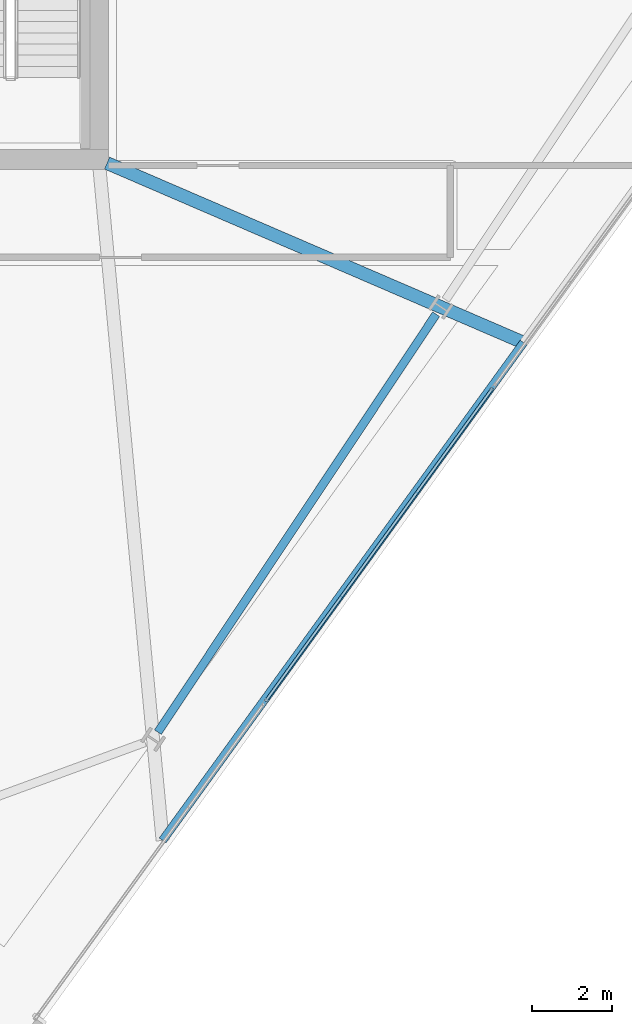
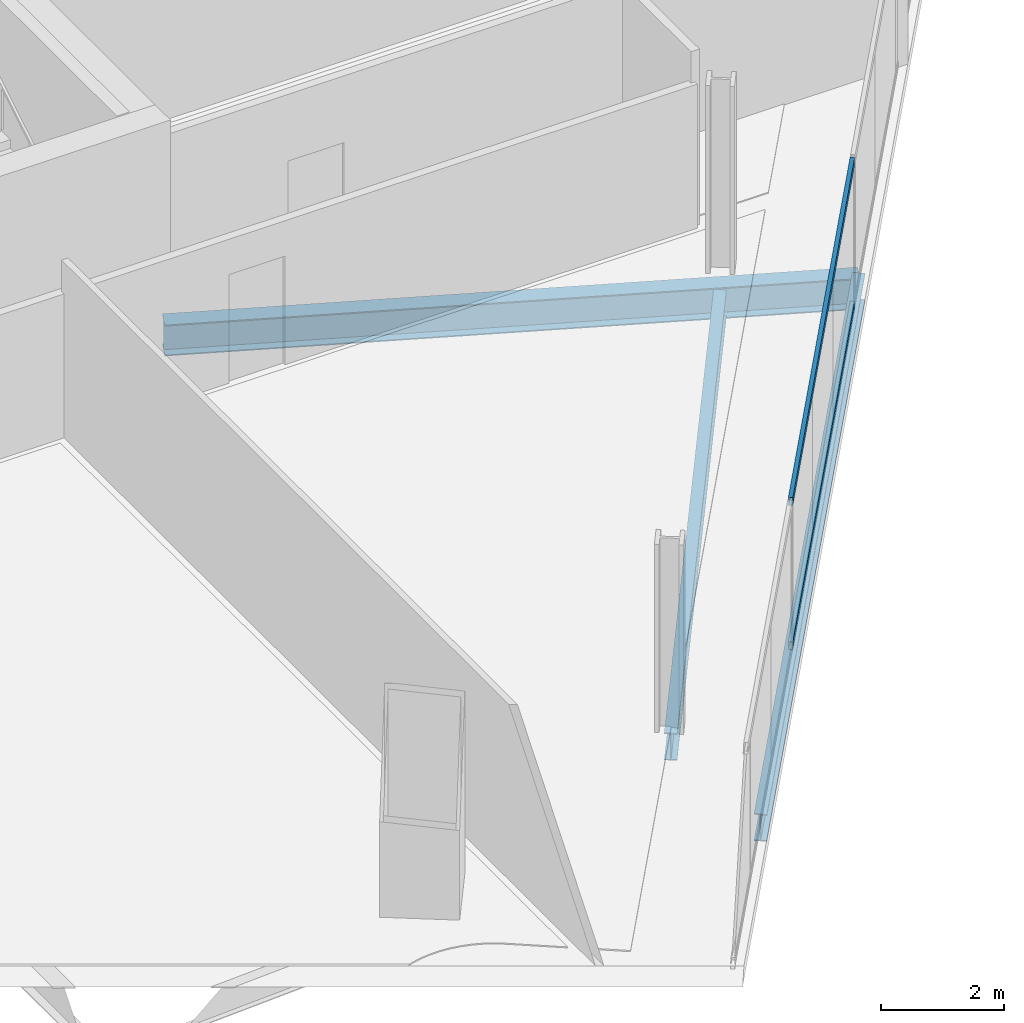
# One storey, part 10 of 29: 3 beams, 2 members, 1 element without a shape of its own.
"""IFC4 building model written with IfcOpenShell, lengths in metres."""

from ifc_helpers import new_model, si_unit, direction, frame, origin, origin_2d, place, context, subcontext, project, spatial, hollow_rectangle, i_section, extrude, material, material_profile, profile_set, type_object, element, aggregate, save


model = new_model("IFC4")

# Units and contexts
model_context = context("Model", 3, precision=1e-05, world=origin(), true_north=direction((0.0, 1.0)))
body_context = subcontext(model_context, "Body", "Model", "MODEL_VIEW")
ifc_project = project(units=[si_unit("LENGTHUNIT", "METRE"), si_unit("AREAUNIT", "SQUARE_METRE"), si_unit("VOLUMEUNIT", "CUBIC_METRE"), si_unit("PLANEANGLEUNIT", "RADIAN"), si_unit("MASSUNIT", "GRAM", prefix="KILO")], contexts=[model_context])

# Site, building, storey
site_placement = place(None, origin())
site = spatial("IfcSite", under=ifc_project, at=site_placement, CompositionType="ELEMENT")
building_placement = place(site_placement, origin())
building = spatial("IfcBuilding", under=site, at=building_placement, Name="Haldenkirk Collegiate Tower", CompositionType="ELEMENT")
storey_placement = place(building_placement, frame((0.0, 0.0, 209.699951171875)))
storey = spatial("IfcBuildingStorey", under=building, at=storey_placement, Name="L52", CompositionType="ELEMENT", Elevation=209.699951171875)

# Beams
ifc_material_1 = material(Name="Steel ASTM A992 Grade 50", Category="steel")
ifc_material_profile_1 = material_profile(ifc_material_1, i_section(OverallWidth=0.324951171875, OverallDepth=0.615966796875, WebThickness=0.013916015625, FlangeThickness=0.021484375, at=origin_2d()), Name="W24X117")
ifc_profile_set_1 = profile_set([ifc_material_profile_1], Name="Steel ASTM A992 Grade 50")
beam_type_1 = type_object("IfcBeamType", Name="BM-GIRDER-W24X117", PredefinedType="BEAM", material=ifc_profile_set_1)
beam_1_placement = place(storey_placement, frame((55.632080078125, 13.416748046875, -0.587890625), z_axis=(-0.918310602401, 0.395860628905, 0.0), x_axis=(-0.395860628905, -0.918310602401, 0.0)))
element("IfcBeam", 1, at=beam_1_placement, inside=storey, type_object=beam_type_1, Name="L52 primary floor girder 06", PredefinedType="BEAM", context=body_context, shape_type="SweptSolid", body=[
    extrude(i_section(OverallWidth=0.324951171875, OverallDepth=0.615966796875, WebThickness=0.013916015625, FlangeThickness=0.021484375, at=origin_2d()), origin(), (0.0, 0.0, 1.0), 11.347900390625),
])
ifc_material_profile_2 = material_profile(ifc_material_1, i_section(OverallWidth=0.2099609375, OverallDepth=0.537109375, WebThickness=0.010986328125, FlangeThickness=0.017333984375, at=origin_2d()), Name="W21X68")
ifc_profile_set_2 = profile_set([ifc_material_profile_2], Name="Steel ASTM A992 Grade 50")
beam_type_2 = type_object("IfcBeamType", Name="BM-SPANDREL-W21X68", PredefinedType="SPANDREL", material=ifc_profile_set_2)
beam_2_placement = place(storey_placement, frame((46.4833984375, 3.67041015625, -0.54833984375), z_axis=(0.554112521622, 0.832441777773, 0.0), x_axis=(-0.832441777773, 0.554112521622, 0.0)))
element("IfcBeam", 2, at=beam_2_placement, inside=storey, type_object=beam_type_2, Name="L52 perimeter spandrel beam 02", PredefinedType="SPANDREL", context=body_context, shape_type="SweptSolid", body=[
    extrude(i_section(OverallWidth=0.2099609375, OverallDepth=0.537109375, WebThickness=0.010986328125, FlangeThickness=0.017333984375, at=origin_2d()), origin(), (0.0, 0.0, 1.0), 12.561767578125),
])
beam_3_placement = place(storey_placement, frame((46.600341796875, 0.963134765625, -0.54833984375), z_axis=(0.587089790689, 0.809521820378, 0.0), x_axis=(-0.809521820378, 0.587089790689, 0.0)))
element("IfcBeam", 3, at=beam_3_placement, inside=storey, type_object=beam_type_2, Name="L52 outer facade edge beam 1A", PredefinedType="SPANDREL", context=body_context, shape_type="SweptSolid", body=[
    extrude(i_section(OverallWidth=0.2099609375, OverallDepth=0.537109375, WebThickness=0.010986328125, FlangeThickness=0.017333984375, at=origin_2d()), origin(), (0.0, 0.0, 1.0), 15.384033203125),
])

# Curtain wall, members
ifc_material_2 = material(Name="Anodised architectural bronze aluminium", Category="aluminium")
curtain_wall_type = type_object("IfcCurtainWallType", Name="CW-SYS2-CONCAVE", PredefinedType="USERDEFINED", material=ifc_material_2)
curtain_wall_placement = place(storey_placement, origin())
curtain_wall = element("IfcCurtainWall", 4, at=curtain_wall_placement, inside=storey, type_object=curtain_wall_type, Name="L52 South concave recessed bronze-anodised curtain wall", ObjectType="UNITISED CURTAIN WALL", PredefinedType="USERDEFINED")
ifc_material_profile_3 = material_profile(ifc_material_2, hollow_rectangle(XDim=0.074951171875, YDim=0.159912109375, WallThickness=0.0048828125, at=origin_2d()), Name="CW-TRN-02")
ifc_profile_set_3 = profile_set([ifc_material_profile_3], Name="Anodised architectural bronze aluminium")
member_type = type_object("IfcMemberType", Name="CW-TRN-02", PredefinedType="USERDEFINED", material=ifc_profile_set_3)
member_1_placement = place(storey_placement, frame((54.856201171875, 12.279052734375, 0.03759765625), z_axis=(-0.587071356221, -0.809535189294, 0.0), x_axis=(0.809535189294, -0.587071356221, 0.0)))
member_1 = element("IfcMember", 5, at=member_1_placement, type_object=member_type, Name="CW-02 transom 3.1", ObjectType="TRANSOM", PredefinedType="USERDEFINED", context=body_context, shape_type="SweptSolid", body=[
    extrude(hollow_rectangle(XDim=0.074951171875, YDim=0.159912109375, WallThickness=0.0048828125, at=origin_2d()), origin(), (0.0, 0.0, 1.0), 9.675048828125),
])
member_2_placement = place(storey_placement, frame((54.856201171875, 12.279052734375, 2.890625), z_axis=(-0.587071356221, -0.809535189294, 0.0), x_axis=(0.809535189294, -0.587071356221, 0.0)))
member_2 = element("IfcMember", 6, at=member_2_placement, type_object=member_type, Name="CW-02 transom 3.2", ObjectType="TRANSOM", PredefinedType="USERDEFINED", context=body_context, shape_type="SweptSolid", body=[
    extrude(hollow_rectangle(XDim=0.074951171875, YDim=0.159912109375, WallThickness=0.0048828125, at=origin_2d()), origin(), (0.0, 0.0, 1.0), 9.675048828125),
])
aggregate(curtain_wall, [member_1, member_2])

save(model, "model.ifc")
